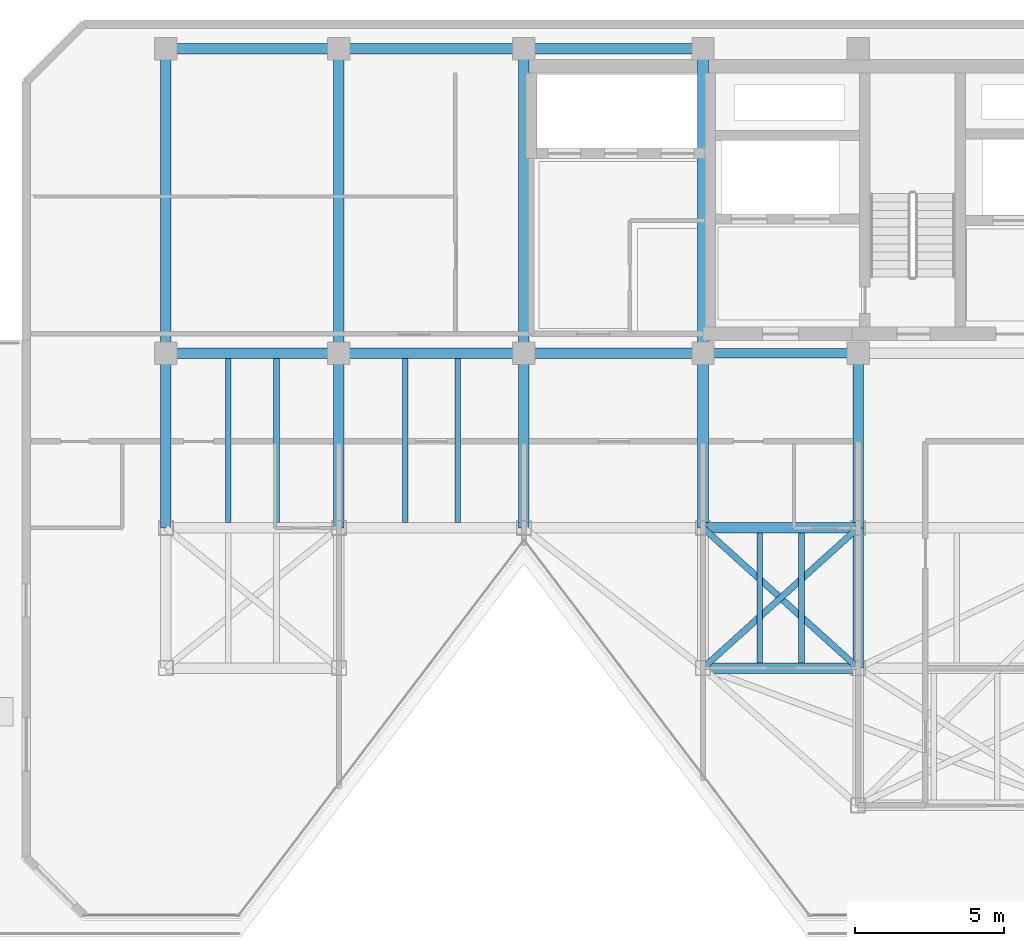
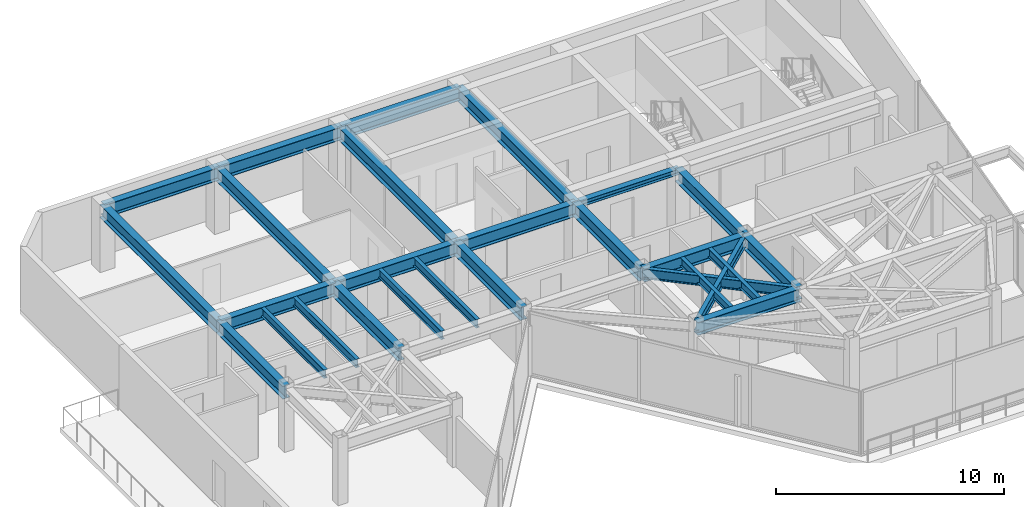
# One storey, part 7 of 17: 27 beams.
"""IFC4 building model written with IfcOpenShell, lengths in metres."""

from ifc_helpers import new_model, si_unit, direction, frame, origin, origin_2d, place, context, subcontext, project, spatial, i_section, extrude, material, material_profile, profile_set, type_object, element, save


model = new_model("IFC4")

# Units and contexts
model_context = context("Model", 3, precision=1e-05, world=origin(), true_north=direction((0.0, 1.0)))
body_context = subcontext(model_context, "Body", "Model", "MODEL_VIEW")
ifc_project = project(units=[si_unit("LENGTHUNIT", "METRE"), si_unit("AREAUNIT", "SQUARE_METRE"), si_unit("VOLUMEUNIT", "CUBIC_METRE"), si_unit("PLANEANGLEUNIT", "RADIAN"), si_unit("MASSUNIT", "GRAM", prefix="KILO")], contexts=[model_context])

# Site, building, storey
site_placement = place(None, origin())
site = spatial("IfcSite", under=ifc_project, at=site_placement, CompositionType="ELEMENT")
building_placement = place(site_placement, origin())
building = spatial("IfcBuilding", under=site, at=building_placement, Name="Kravanh Interchange Tower", CompositionType="ELEMENT")
storey_placement = place(building_placement, frame((0.0, 0.0, 263.39990234375)))
storey = spatial("IfcBuildingStorey", under=building, at=storey_placement, Name="L64", CompositionType="ELEMENT", Elevation=263.39990234375)

# Beams
ifc_material_1 = material(Name="Structural Steel S355", Category="steel")
ifc_material_profile_1 = material_profile(ifc_material_1, i_section(OverallWidth=0.35498046875, OverallDepth=0.696044921875, WebThickness=0.015380859375, FlangeThickness=0.02490234375, FilletRadius=0.02392578125, at=origin_2d()), Name="W27X146")
ifc_profile_set_1 = profile_set([ifc_material_profile_1], Name="Structural Steel S355")
beam_type_1 = type_object("IfcBeamType", Name="Floor Beam W27X146 Structural Steel S355", PredefinedType="BEAM", material=ifc_profile_set_1)
beam_1_placement = place(storey_placement, frame((44.800048828125, 31.5, 3.01220703125), z_axis=(0.0, 1.0, 0.0), x_axis=(-1.0, 0.0, 0.0)))
element("IfcBeam", 1, at=beam_1_placement, inside=storey, type_object=beam_type_1, Name="L64 Primary Floor Girder 1", PredefinedType="BEAM", context=body_context, shape_type="SweptSolid", body=[
    extrude(i_section(OverallWidth=0.35498046875, OverallDepth=0.696044921875, WebThickness=0.015380859375, FlangeThickness=0.02490234375, FilletRadius=0.02392578125, at=origin_2d()), origin(), (0.0, 0.0, 1.0), 5.85009765625),
])
beam_2_placement = place(storey_placement, frame((50.800048828125, 31.5, 3.01220703125), z_axis=(1.0, 0.0, 0.0), x_axis=(0.0, 1.0, 0.0)))
element("IfcBeam", 2, at=beam_2_placement, inside=storey, type_object=beam_type_1, Name="L64 Primary Floor Girder 6", PredefinedType="BEAM", context=body_context, shape_type="SweptSolid", body=[
    extrude(i_section(OverallWidth=0.35498046875, OverallDepth=0.696044921875, WebThickness=0.015380859375, FlangeThickness=0.02490234375, FilletRadius=0.02392578125, at=origin_2d()), origin(), (0.0, 0.0, 1.0), 5.199951171875),
])
beam_3_placement = place(storey_placement, frame((50.800048828125, 31.5, 3.01220703125), z_axis=(0.0, 1.0, 0.0), x_axis=(-1.0, 0.0, 0.0)))
element("IfcBeam", 3, at=beam_3_placement, inside=storey, type_object=beam_type_1, Name="L64 Primary Floor Girder 7", PredefinedType="BEAM", context=body_context, shape_type="SweptSolid", body=[
    extrude(i_section(OverallWidth=0.35498046875, OverallDepth=0.696044921875, WebThickness=0.015380859375, FlangeThickness=0.02490234375, FilletRadius=0.02392578125, at=origin_2d()), origin(), (0.0, 0.0, 1.0), 5.85009765625),
])
beam_4_placement = place(storey_placement, frame((56.0, 31.5, 3.01220703125), z_axis=(0.0, -1.0, 0.0), x_axis=(1.0, 0.0, 0.0)))
element("IfcBeam", 4, at=beam_4_placement, inside=storey, type_object=beam_type_1, Name="L64 Primary Floor Girder 9", PredefinedType="BEAM", context=body_context, shape_type="SweptSolid", body=[
    extrude(i_section(OverallWidth=0.35498046875, OverallDepth=0.696044921875, WebThickness=0.015380859375, FlangeThickness=0.02490234375, FilletRadius=0.02392578125, at=origin_2d()), origin(), (0.0, 0.0, 1.0), 4.699951171875),
])
for number, where, z_axis, x_axis, name in (
    (5, (56.0, 31.5, 3.01220703125), (0.0, 1.0, 0.0), (-1.0, 0.0, 0.0), "L64 Primary Floor Girder 10"),
    (6, (38.60009765625, 31.5, 3.01220703125), (0.0, 1.0, 0.0), (-1.0, 0.0, 0.0), "L64 Primary Floor Girder 19"),
    (7, (32.800048828125, 31.5, 3.01220703125), (0.0, 1.0, 0.0), (-1.0, 0.0, 0.0), "L64 Primary Floor Girder 22"),
):
    element("IfcBeam", number, at=place(storey_placement, frame(where, z_axis=z_axis, x_axis=x_axis)), inside=storey, type_object=beam_type_1, Name=name, PredefinedType="BEAM", context=body_context, shape_type="SweptSolid", body=[
        extrude(i_section(OverallWidth=0.35498046875, OverallDepth=0.696044921875, WebThickness=0.015380859375, FlangeThickness=0.02490234375, FilletRadius=0.02392578125, at=origin_2d()), origin(), (0.0, 0.0, 1.0), 5.85009765625),
    ])
beam_5_placement = place(storey_placement, frame((50.800048828125, 26.800048828125, 3.01220703125), z_axis=(1.0, 0.0, 0.0), x_axis=(0.0, 1.0, 0.0)))
element("IfcBeam", 8, at=beam_5_placement, inside=storey, type_object=beam_type_1, Name="L64 Primary Floor Girder 25", PredefinedType="BEAM", context=body_context, shape_type="SweptSolid", body=[
    extrude(i_section(OverallWidth=0.35498046875, OverallDepth=0.696044921875, WebThickness=0.015380859375, FlangeThickness=0.02490234375, FilletRadius=0.02392578125, at=origin_2d()), origin(), (0.0, 0.0, 1.0), 5.199951171875),
])
beam_6_placement = place(storey_placement, frame((50.800048828125, 47.550048828125, 3.01220703125), z_axis=(-1.0, 0.0, 0.0), x_axis=(0.0, -1.0, 0.0)))
element("IfcBeam", 9, at=beam_6_placement, inside=storey, type_object=beam_type_1, Name="L64 Primary Floor Girder 40", PredefinedType="BEAM", context=body_context, shape_type="SweptSolid", body=[
    extrude(i_section(OverallWidth=0.35498046875, OverallDepth=0.696044921875, WebThickness=0.015380859375, FlangeThickness=0.02490234375, FilletRadius=0.02392578125, at=origin_2d()), origin(), (0.0, 0.0, 1.0), 6.0),
])
beam_7_placement = place(storey_placement, frame((50.800048828125, 47.550048828125, 3.01220703125), z_axis=(0.0, -1.0, 0.0), x_axis=(1.0, 0.0, 0.0)))
element("IfcBeam", 10, at=beam_7_placement, inside=storey, type_object=beam_type_1, Name="L64 Primary Floor Girder 41", PredefinedType="BEAM", context=body_context, shape_type="SweptSolid", body=[
    extrude(i_section(OverallWidth=0.35498046875, OverallDepth=0.696044921875, WebThickness=0.015380859375, FlangeThickness=0.02490234375, FilletRadius=0.02392578125, at=origin_2d()), origin(), (0.0, 0.0, 1.0), 10.199951171875),
])
beam_8_placement = place(storey_placement, frame((50.800048828125, 37.35009765625, 3.01220703125), z_axis=(-1.0, 0.0, 0.0), x_axis=(0.0, -1.0, 0.0)))
element("IfcBeam", 11, at=beam_8_placement, inside=storey, type_object=beam_type_1, Name="L64 Primary Floor Girder 42", PredefinedType="BEAM", context=body_context, shape_type="SweptSolid", body=[
    extrude(i_section(OverallWidth=0.35498046875, OverallDepth=0.696044921875, WebThickness=0.015380859375, FlangeThickness=0.02490234375, FilletRadius=0.02392578125, at=origin_2d()), origin(), (0.0, 0.0, 1.0), 6.0),
])
beam_9_placement = place(storey_placement, frame((44.800048828125, 37.35009765625, 3.01220703125), z_axis=(-1.0, 0.0, 0.0), x_axis=(0.0, -1.0, 0.0)))
element("IfcBeam", 12, at=beam_9_placement, inside=storey, type_object=beam_type_1, Name="L64 Primary Floor Girder 43", PredefinedType="BEAM", context=body_context, shape_type="SweptSolid", body=[
    extrude(i_section(OverallWidth=0.35498046875, OverallDepth=0.696044921875, WebThickness=0.015380859375, FlangeThickness=0.02490234375, FilletRadius=0.02392578125, at=origin_2d()), origin(), (0.0, 0.0, 1.0), 6.199951171875),
])
beam_10_placement = place(storey_placement, frame((44.800048828125, 37.35009765625, 3.01220703125), z_axis=(0.0, 1.0, 0.0), x_axis=(-1.0, 0.0, 0.0)))
element("IfcBeam", 13, at=beam_10_placement, inside=storey, type_object=beam_type_1, Name="L64 Primary Floor Girder 44", PredefinedType="BEAM", context=body_context, shape_type="SweptSolid", body=[
    extrude(i_section(OverallWidth=0.35498046875, OverallDepth=0.696044921875, WebThickness=0.015380859375, FlangeThickness=0.02490234375, FilletRadius=0.02392578125, at=origin_2d()), origin(), (0.0, 0.0, 1.0), 10.199951171875),
])
beam_11_placement = place(storey_placement, frame((44.800048828125, 47.550048828125, 3.01220703125), z_axis=(-1.0, 0.0, 0.0), x_axis=(0.0, -1.0, 0.0)))
element("IfcBeam", 14, at=beam_11_placement, inside=storey, type_object=beam_type_1, Name="L64 Primary Floor Girder 45", PredefinedType="BEAM", context=body_context, shape_type="SweptSolid", body=[
    extrude(i_section(OverallWidth=0.35498046875, OverallDepth=0.696044921875, WebThickness=0.015380859375, FlangeThickness=0.02490234375, FilletRadius=0.02392578125, at=origin_2d()), origin(), (0.0, 0.0, 1.0), 6.199951171875),
])
beam_12_placement = place(storey_placement, frame((38.60009765625, 37.35009765625, 3.01220703125), z_axis=(-1.0, 0.0, 0.0), x_axis=(0.0, -1.0, 0.0)))
element("IfcBeam", 15, at=beam_12_placement, inside=storey, type_object=beam_type_1, Name="L64 Primary Floor Girder 46", PredefinedType="BEAM", context=body_context, shape_type="SweptSolid", body=[
    extrude(i_section(OverallWidth=0.35498046875, OverallDepth=0.696044921875, WebThickness=0.015380859375, FlangeThickness=0.02490234375, FilletRadius=0.02392578125, at=origin_2d()), origin(), (0.0, 0.0, 1.0), 5.800048828125),
])
beam_13_placement = place(storey_placement, frame((38.60009765625, 37.35009765625, 3.01220703125), z_axis=(0.0, 1.0, 0.0), x_axis=(-1.0, 0.0, 0.0)))
element("IfcBeam", 16, at=beam_13_placement, inside=storey, type_object=beam_type_1, Name="L64 Primary Floor Girder 47", PredefinedType="BEAM", context=body_context, shape_type="SweptSolid", body=[
    extrude(i_section(OverallWidth=0.35498046875, OverallDepth=0.696044921875, WebThickness=0.015380859375, FlangeThickness=0.02490234375, FilletRadius=0.02392578125, at=origin_2d()), origin(), (0.0, 0.0, 1.0), 10.199951171875),
])
beam_14_placement = place(storey_placement, frame((38.60009765625, 47.550048828125, 3.01220703125), z_axis=(-1.0, 0.0, 0.0), x_axis=(0.0, -1.0, 0.0)))
element("IfcBeam", 17, at=beam_14_placement, inside=storey, type_object=beam_type_1, Name="L64 Primary Floor Girder 48", PredefinedType="BEAM", context=body_context, shape_type="SweptSolid", body=[
    extrude(i_section(OverallWidth=0.35498046875, OverallDepth=0.696044921875, WebThickness=0.015380859375, FlangeThickness=0.02490234375, FilletRadius=0.02392578125, at=origin_2d()), origin(), (0.0, 0.0, 1.0), 5.800048828125),
])
beam_15_placement = place(storey_placement, frame((32.800048828125, 37.35009765625, 3.01220703125), z_axis=(0.0, 1.0, 0.0), x_axis=(-1.0, 0.0, 0.0)))
element("IfcBeam", 18, at=beam_15_placement, inside=storey, type_object=beam_type_1, Name="L64 Primary Floor Girder 49", PredefinedType="BEAM", context=body_context, shape_type="SweptSolid", body=[
    extrude(i_section(OverallWidth=0.35498046875, OverallDepth=0.696044921875, WebThickness=0.015380859375, FlangeThickness=0.02490234375, FilletRadius=0.02392578125, at=origin_2d()), origin(), (0.0, 0.0, 1.0), 10.199951171875),
])
ifc_material_2 = material(Name="Structural Steel S355", Category="steel")
ifc_material_profile_2 = material_profile(ifc_material_2, i_section(OverallWidth=0.18994140625, OverallDepth=0.45703125, WebThickness=0.009033203125, FlangeThickness=0.014404296875, FilletRadius=0.01806640625, at=origin_2d()), Name="W18X50")
ifc_profile_set_2 = profile_set([ifc_material_profile_2], Name="Structural Steel S355")
beam_type_2 = type_object("IfcBeamType", Name="Floor Joist W18X50 Structural Steel S355", PredefinedType="JOIST", material=ifc_profile_set_2)
for number, where, z_axis, x_axis, name in (
    (19, (52.697998046875, 26.972412109375, 3.131591796875), (0.0, 1.0, 0.0), (-1.0, 0.0, 0.0), "L64 Secondary Floor Joist 5"),
    (20, (54.10205078125, 26.972412109375, 3.131591796875), (0.0, 1.0, 0.0), (-1.0, 0.0, 0.0), "L64 Secondary Floor Joist 6"),
):
    element("IfcBeam", number, at=place(storey_placement, frame(where, z_axis=z_axis, x_axis=x_axis)), inside=storey, type_object=beam_type_2, Name=name, PredefinedType="JOIST", context=body_context, shape_type="SweptSolid", body=[
        extrude(i_section(OverallWidth=0.18994140625, OverallDepth=0.45703125, WebThickness=0.009033203125, FlangeThickness=0.014404296875, FilletRadius=0.01806640625, at=origin_2d()), origin(), (0.0, 0.0, 1.0), 4.35498046875),
    ])
for number, where, z_axis, x_axis, name in (
    (21, (34.889892578125, 31.672607421875, 3.131591796875), (0.0, 1.0, 0.0), (-1.0, 0.0, 0.0), "L64 Secondary Floor Joist 9"),
    (22, (36.510009765625, 31.672607421875, 3.131591796875), (0.0, 1.0, 0.0), (-1.0, 0.0, 0.0), "L64 Secondary Floor Joist 10"),
    (23, (40.818115234375, 31.672607421875, 3.131591796875), (0.0, 1.0, 0.0), (-1.0, 0.0, 0.0), "L64 Secondary Floor Joist 11"),
    (24, (42.58203125, 31.672607421875, 3.131591796875), (0.0, 1.0, 0.0), (-1.0, 0.0, 0.0), "L64 Secondary Floor Joist 12"),
):
    element("IfcBeam", number, at=place(storey_placement, frame(where, z_axis=z_axis, x_axis=x_axis)), inside=storey, type_object=beam_type_2, Name=name, PredefinedType="JOIST", context=body_context, shape_type="SweptSolid", body=[
        extrude(i_section(OverallWidth=0.18994140625, OverallDepth=0.45703125, WebThickness=0.009033203125, FlangeThickness=0.014404296875, FilletRadius=0.01806640625, at=origin_2d()), origin(), (0.0, 0.0, 1.0), 5.5048828125),
    ])
ifc_material_3 = material(Name="Structural Steel S355", Category="steel")
ifc_material_profile_3 = material_profile(ifc_material_3, i_section(OverallWidth=0.304931640625, OverallDepth=0.306884765625, WebThickness=0.010009765625, FlangeThickness=0.015380859375, FilletRadius=0.014892578125, at=origin_2d()), Name="W12X65")
ifc_profile_set_3 = profile_set([ifc_material_profile_3], Name="Structural Steel S355")
beam_type_3 = type_object("IfcBeamType", Name="Floor Lintel W12X65 Structural Steel S355", PredefinedType="LINTEL", material=ifc_profile_set_3)
beam_16_placement = place(storey_placement, frame((50.800048828125, 37.35009765625, 3.20654296875), z_axis=(1.0, 0.0, 0.0), x_axis=(0.0, 1.0, 0.0)))
element("IfcBeam", 25, at=beam_16_placement, inside=storey, type_object=beam_type_3, Name="L64 Core Coupling Lintel 1", PredefinedType="LINTEL", context=body_context, shape_type="SweptSolid", body=[
    extrude(i_section(OverallWidth=0.304931640625, OverallDepth=0.306884765625, WebThickness=0.010009765625, FlangeThickness=0.015380859375, FilletRadius=0.014892578125, at=origin_2d()), origin(), (0.0, 0.0, 1.0), 5.199951171875),
])
ifc_material_4 = material(Name="Structural Steel S355", Category="steel")
ifc_material_profile_4 = material_profile(ifc_material_4, i_section(OverallWidth=0.2099609375, OverallDepth=0.537109375, WebThickness=0.010986328125, FlangeThickness=0.017333984375, FilletRadius=0.02001953125, at=origin_2d()), Name="W21X68")
ifc_profile_set_4 = profile_set([ifc_material_profile_4], Name="Structural Steel S355")
beam_type_4 = type_object("IfcBeamType", Name="Floor Spandrel W21X68 Structural Steel S355", PredefinedType="SPANDREL", material=ifc_profile_set_4)
for number, where, z_axis, x_axis, name in (
    (26, (50.800048828125, 31.5, 3.091552734375), (0.741874009795, -0.670539300557, 0.0), (0.670539300557, 0.741874009795, 0.0), "L64 Perimeter Spandrel 8"),
    (27, (56.0, 31.5, 3.091552734375), (-0.741874009795, -0.670539300557, 0.0), (0.670539300557, -0.741874009795, 0.0), "L64 Perimeter Spandrel 11"),
):
    element("IfcBeam", number, at=place(storey_placement, frame(where, z_axis=z_axis, x_axis=x_axis)), inside=storey, type_object=beam_type_4, Name=name, PredefinedType="SPANDREL", context=body_context, shape_type="SweptSolid", body=[
        extrude(i_section(OverallWidth=0.2099609375, OverallDepth=0.537109375, WebThickness=0.010986328125, FlangeThickness=0.017333984375, FilletRadius=0.02001953125, at=origin_2d()), origin(), (0.0, 0.0, 1.0), 7.00927734375),
    ])

save(model, "model.ifc")
